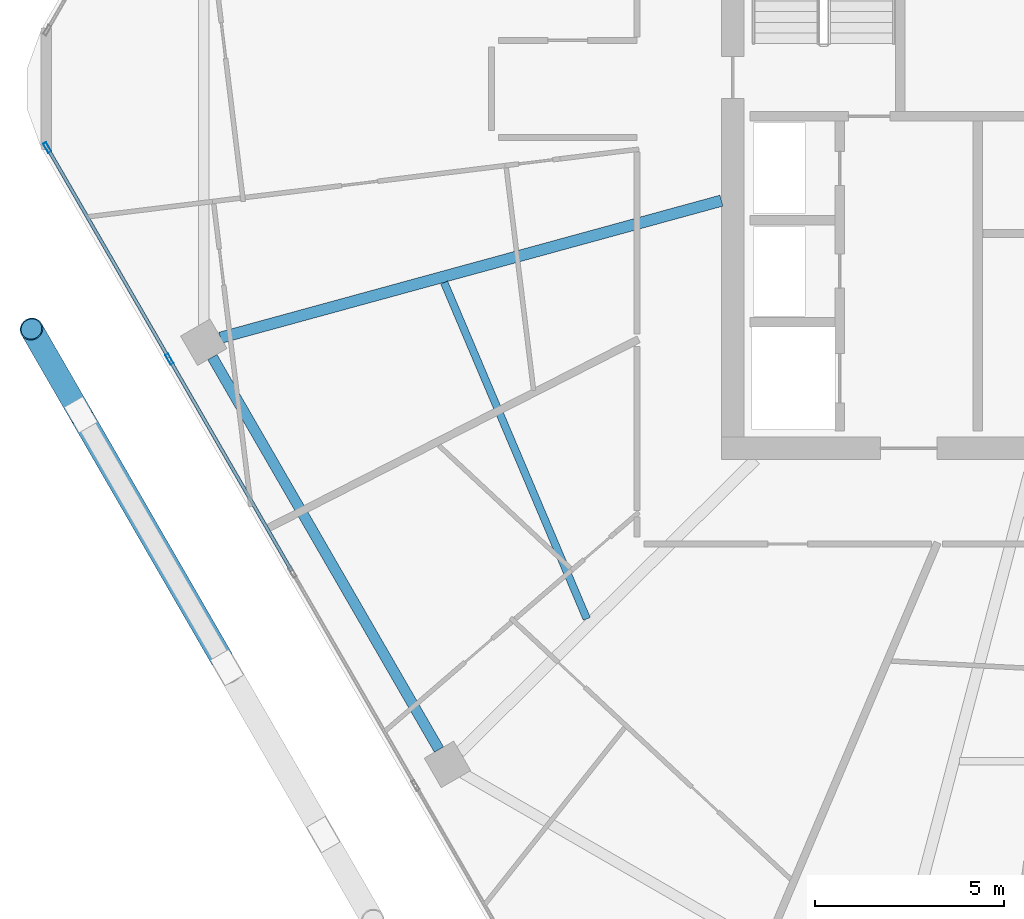
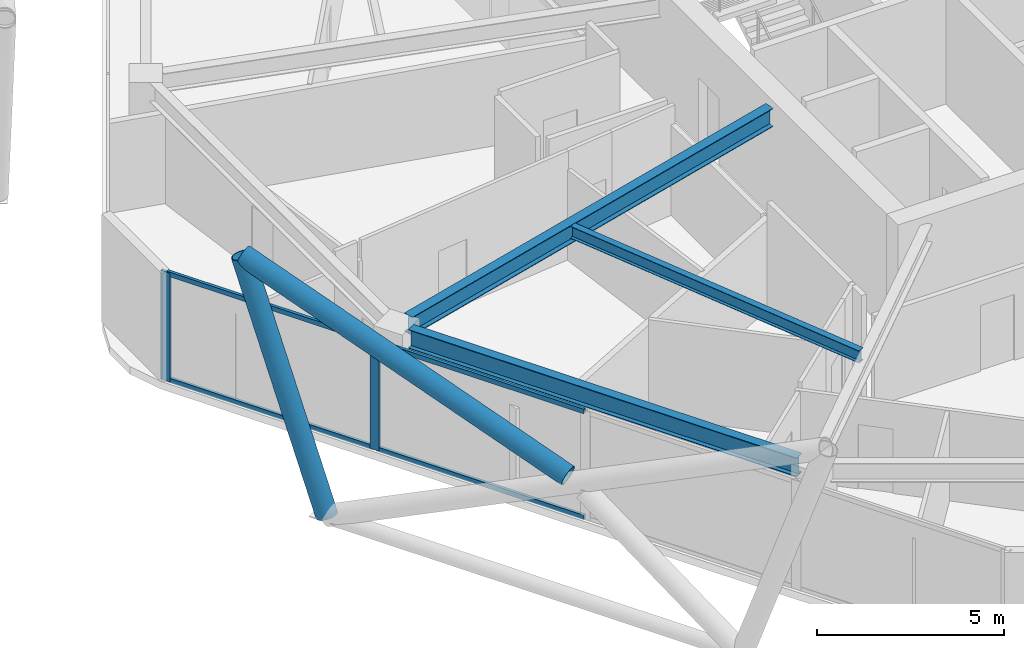
# One storey, part 5 of 28: 8 members, 3 beams, 1 element without a shape of its own.
"""IFC4 building model written with IfcOpenShell, lengths in metres."""

import ifcopenshell
import ifcopenshell.guid

model = None  # the IFC model being written
_history = None  # IfcOwnerHistory: only IFC2X3 demands one
_inside = {}  # id of a spatial element -> (the spatial element, [elements in it])
_under = {}  # id of a project, library or spatial element -> (it, [spatial elements below it])
_declared = {}  # id of a project -> (the project, [libraries it declares])
_typed = {}  # id of a type object -> (the type object, [elements of that type])
_made_of = {}  # id of a material, layer set ... -> (it, [elements and type objects made of it])


def new_model(schema):
    """Start an empty IFC model of exactly this schema.

    Asked for "IFC4X3", IfcOpenShell would pick the latest addendum, in which some entities
    have other attributes; the version numbers below select the first issue.
    IFC2X3 requires an IfcOwnerHistory on every rooted entity: one is made here for all.
    """
    global model, _history
    if schema == "IFC4X3":
        model = ifcopenshell.file(schema_version=(4, 3, 0, 0))
    else:
        model = ifcopenshell.file(schema=schema)
    _inside.clear()
    _under.clear()
    _declared.clear()
    _typed.clear()
    _made_of.clear()
    _history = None
    if model.schema == "IFC2X3":
        org = make("IfcOrganization", Name="unknown")
        user = make(
            "IfcPersonAndOrganization",
            ThePerson=make("IfcPerson", FamilyName="unknown"),
            TheOrganization=org,
        )
        app = make(
            "IfcApplication",
            ApplicationDeveloper=org,
            Version="unknown",
            ApplicationFullName="unknown",
            ApplicationIdentifier="unknown",
        )
        _history = make(
            "IfcOwnerHistory",
            OwningUser=user,
            OwningApplication=app,
            ChangeAction="ADDED",
            CreationDate=0,
        )
    return model


def make(cls, **values):
    """One entity of the class cls with the attributes given. An attribute that is None is left unset."""
    return model.create_entity(
        cls, **{name: value for name, value in values.items() if value is not None}
    )


def rooted(cls, **values):
    """An entity with a GlobalId (a new one), such as an element, a storey or a relation."""
    return make(cls, GlobalId=ifcopenshell.guid.new(), OwnerHistory=_history, **values)


def si_unit(unit_type, name, prefix=None):
    """IfcSIUnit, for example si_unit("LENGTHUNIT", "METRE", prefix="MILLI")."""
    return make("IfcSIUnit", UnitType=unit_type, Prefix=prefix, Name=name)


def assignment(units):
    """IfcUnitAssignment: the units of a project."""
    return None if units is None else make("IfcUnitAssignment", Units=units)


def point(xyz):
    """IfcCartesianPoint."""
    return None if xyz is None else make("IfcCartesianPoint", Coordinates=xyz)


def direction(xyz):
    """IfcDirection."""
    return None if xyz is None else make("IfcDirection", DirectionRatios=xyz)


def frame(location, z_axis=None, x_axis=None):
    """IfcAxis2Placement3D, a coordinate frame: its origin and axes. An axis left out is left unset."""
    return make(
        "IfcAxis2Placement3D",
        Location=point(location),
        Axis=direction(z_axis),
        RefDirection=direction(x_axis),
    )


def frame_2d(location, x_axis=None):
    """IfcAxis2Placement2D, a coordinate frame in the plane: its origin and x axis."""
    return make(
        "IfcAxis2Placement2D", Location=point(location), RefDirection=direction(x_axis)
    )


def origin():
    """The frame at (0, 0, 0) with its axes left unset."""
    return frame((0.0, 0.0, 0.0))


def origin_2d():
    """The frame at (0, 0) in the plane with its x axis left unset."""
    return frame_2d((0.0, 0.0))


def place(relative_to, where):
    """IfcLocalPlacement: puts the frame where relative to a parent placement (None: the world)."""
    return make(
        "IfcLocalPlacement", PlacementRelTo=relative_to, RelativePlacement=where
    )


def context(
    kind, dimensions, precision=None, world=None, true_north=None, identifier=None
):
    """IfcGeometricRepresentationContext, for example the 3D "Model" context."""
    return make(
        "IfcGeometricRepresentationContext",
        ContextIdentifier=identifier,
        ContextType=kind,
        CoordinateSpaceDimension=dimensions,
        Precision=precision,
        WorldCoordinateSystem=world,
        TrueNorth=true_north,
    )


def subcontext(parent, identifier, kind, view, scale=None):
    """IfcGeometricRepresentationSubContext, for example "Body" below "Model"."""
    return make(
        "IfcGeometricRepresentationSubContext",
        ContextIdentifier=identifier,
        ContextType=kind,
        ParentContext=parent,
        TargetScale=scale,
        TargetView=view,
    )


def project(units=None, contexts=None):
    """IfcProject with its units and contexts."""
    return rooted(
        "IfcProject",
        Name="project",
        RepresentationContexts=contexts,
        UnitsInContext=assignment(units),
    )


def spatial(cls, under=None, at=None, **own):
    """A site, building, storey or space (cls), placed at a placement, below another one or the project."""
    s = rooted(cls, ObjectPlacement=at, **own)
    if under is not None:
        _under.setdefault(under.id(), (under, []))[1].append(s)
    return s


def profile(cls, at=None, kind="AREA", **sizes):
    """A parametric profile (cls). Its sizes go by their IFC names, for example OverallWidth=200.0."""
    return make(cls, ProfileType=kind, Position=at, **sizes)


def hollow_rectangle(**sizes):
    """IfcRectangleHollowProfileDef."""
    return profile("IfcRectangleHollowProfileDef", **sizes)


def hollow_circle(**sizes):
    """IfcCircleHollowProfileDef."""
    return profile("IfcCircleHollowProfileDef", **sizes)


def i_section(**sizes):
    """IfcIShapeProfileDef."""
    return profile("IfcIShapeProfileDef", **sizes)


def extrude(swept, where, along, depth):
    """IfcExtrudedAreaSolid: the profile swept, set in the frame where, extruded along a direction by depth."""
    return make(
        "IfcExtrudedAreaSolid",
        SweptArea=swept,
        Position=where,
        ExtrudedDirection=direction(along),
        Depth=depth,
    )


def shape(context_of_items, identifier, shape_type, items):
    """IfcShapeRepresentation: the items that make up one representation, for example the "Body"."""
    return make(
        "IfcShapeRepresentation",
        ContextOfItems=context_of_items,
        RepresentationIdentifier=identifier,
        RepresentationType=shape_type,
        Items=items,
    )


def material(Name=None, Category=None):
    """IfcMaterial."""
    return make("IfcMaterial", Name=Name, Category=Category)


def material_profile(
    of_material, cross_section, Name=None, Category=None, Priority=None
):
    """IfcMaterialProfile: a cross section and its material."""
    return make(
        "IfcMaterialProfile",
        Name=Name,
        Material=of_material,
        Profile=cross_section,
        Priority=Priority,
        Category=Category,
    )


def profile_set(profiles, Name=None, composite=None):
    """IfcMaterialProfileSet."""
    return make(
        "IfcMaterialProfileSet",
        Name=Name,
        MaterialProfiles=profiles,
        CompositeProfile=composite,
    )


def made_of(thing, what):
    """Note that an element or type object is made of a material, layer set ...; save() writes the relation."""
    if what is not None:
        _made_of.setdefault(what.id(), (what, []))[1].append(thing)
    return thing


def type_object(cls, material=None, **own):
    """A type object (cls), such as IfcWallType, which elements share."""
    return made_of(rooted(cls, **own), material)


def element(
    cls,
    number,
    at=None,
    inside=None,
    cuts=None,
    type_object=None,
    material=None,
    context=None,
    identifier="Body",
    shape_type=None,
    held_by="IfcProductDefinitionShape",
    body=None,
    shapes=None,
    **own,
):
    """One element of the class cls, such as IfcWall. Its Tag is "e" and its number.

    at: its placement. inside: the storey or other place that contains it. cuts: it is an
    opening in that element (IfcRelVoidsElement). A single representation is given by context,
    identifier, shape_type and body (its items); several are given by shapes. held_by: the class
    of the entity that holds the representations. save() writes the other relations.
    """
    e = rooted(cls, Tag="e%d" % number, ObjectPlacement=at, **own)
    if body is not None:
        shapes = [shape(context, identifier, shape_type, body)]
    if shapes is not None:
        e.Representation = make(held_by, Representations=shapes)
    if inside is not None:
        _inside.setdefault(inside.id(), (inside, []))[1].append(e)
    if cuts is not None:
        rooted(
            "IfcRelVoidsElement", RelatingBuildingElement=cuts, RelatedOpeningElement=e
        )
    if type_object is not None:
        _typed.setdefault(type_object.id(), (type_object, []))[1].append(e)
    return made_of(e, material)


def aggregate(whole, parts):
    """IfcRelAggregates: a whole, such as a stair, and the parts it consists of."""
    return rooted("IfcRelAggregates", RelatingObject=whole, RelatedObjects=parts)


def save(model, path):
    """Write the relations noted so far, then the file.

    IfcRelAggregates (storeys below a building ...), IfcRelContainedInSpatialStructure (elements
    in a storey), IfcRelDefinesByType, IfcRelAssociatesMaterial and IfcRelDeclares: one each for
    every whole, place, type object, material and project.
    """
    for whole, parts in _under.values():
        aggregate(whole, parts)
    for where, things in _inside.values():
        rooted(
            "IfcRelContainedInSpatialStructure",
            RelatedElements=things,
            RelatingStructure=where,
        )
    for kind, things in _typed.values():
        rooted("IfcRelDefinesByType", RelatedObjects=things, RelatingType=kind)
    for what, things in _made_of.values():
        rooted("IfcRelAssociatesMaterial", RelatedObjects=things, RelatingMaterial=what)
    for by, libraries in _declared.values():
        rooted("IfcRelDeclares", RelatingContext=by, RelatedDefinitions=libraries)
    model.write(path)


model = new_model("IFC4")

# Units and contexts
model_context = context("Model", 3, precision=1e-05, world=origin(), true_north=direction((0.0, 1.0)))
body_context = subcontext(model_context, "Body", "Model", "MODEL_VIEW")
ifc_project = project(units=[si_unit("LENGTHUNIT", "METRE"), si_unit("AREAUNIT", "SQUARE_METRE"), si_unit("VOLUMEUNIT", "CUBIC_METRE"), si_unit("PLANEANGLEUNIT", "RADIAN"), si_unit("MASSUNIT", "GRAM", prefix="KILO")], contexts=[model_context])

# Site, building, storey
site_placement = place(None, origin())
site = spatial("IfcSite", under=ifc_project, at=site_placement, CompositionType="ELEMENT")
building_placement = place(site_placement, origin())
building = spatial("IfcBuilding", under=site, at=building_placement, Name="Zuhravey Tower", CompositionType="ELEMENT")
storey_placement = place(building_placement, frame((0.0, 0.0, 254.0)))
storey = spatial("IfcBuildingStorey", under=building, at=storey_placement, Name="L64", CompositionType="ELEMENT", Elevation=254.0)

# Curtain wall, members
ifc_material_1 = material(Name="Thermally broken anodised aluminium", Category="aluminium")
curtain_wall_type = type_object("IfcCurtainWallType", Name="Zone 3-4 High-Rise Curtain Wall CW4", PredefinedType="NOTDEFINED", material=ifc_material_1)
curtain_wall_placement = place(storey_placement, origin())
curtain_wall = element("IfcCurtainWall", 1, at=curtain_wall_placement, inside=storey, type_object=curtain_wall_type, Name="L64 CW4 CW-L64-F4-1", PredefinedType="NOTDEFINED")
ifc_material_2 = material(Name="Anodised aluminium", Category="aluminium")
ifc_material_profile_1 = material_profile(ifc_material_2, hollow_rectangle(XDim=0.090087890625, YDim=0.284912109375, WallThickness=0.0048828125, at=origin_2d()), Name="ALU-RHS-90x285x5")
ifc_profile_set_1 = profile_set([ifc_material_profile_1], Name="Anodised aluminium")
member_type_1 = type_object("IfcMemberType", Name="Curtain-Wall Mullion 90x180", PredefinedType="MULLION", material=ifc_profile_set_1)
member_1_placement = place(storey_placement, frame((10.608154296875, 24.852783203125, 0.0), z_axis=(0.0, 0.0, 1.0), x_axis=(-0.866024851021, -0.500000957414, 0.0)))
member_1 = element("IfcMember", 2, at=member_1_placement, type_object=member_type_1, Name="CW4 mullion 4", PredefinedType="MULLION", context=body_context, shape_type="SweptSolid", body=[
    extrude(hollow_rectangle(XDim=0.090087890625, YDim=0.284912109375, WallThickness=0.0048828125, at=origin_2d()), origin(), (0.0, 0.0, 1.0), 3.550048828125),
])
member_2_placement = place(storey_placement, frame((7.37744140625, 30.448486328125, 0.0), z_axis=(0.0, 0.0, 1.0), x_axis=(-0.866024851021, -0.500000957414, 0.0)))
member_2 = element("IfcMember", 3, at=member_2_placement, type_object=member_type_1, Name="CW4 mullion 5", PredefinedType="MULLION", context=body_context, shape_type="SweptSolid", body=[
    extrude(hollow_rectangle(XDim=0.090087890625, YDim=0.284912109375, WallThickness=0.0048828125, at=origin_2d()), origin(), (0.0, 0.0, 1.0), 3.550048828125),
])
ifc_material_profile_2 = material_profile(ifc_material_2, hollow_rectangle(XDim=0.090087890625, YDim=0.14990234375, WallThickness=0.0048828125, at=origin_2d()), Name="ALU-RHS-90x150x5")
ifc_profile_set_2 = profile_set([ifc_material_profile_2], Name="Anodised aluminium")
member_type_2 = type_object("IfcMemberType", Name="Curtain-Wall Transom 90x150", PredefinedType="USERDEFINED", material=ifc_profile_set_2)
member_3_placement = place(storey_placement, frame((13.8388671875, 19.257080078125, 0.044921875), z_axis=(-0.499998017366, 0.866026548456, 0.0), x_axis=(-0.866026548456, -0.499998017366, 0.0)))
member_3 = element("IfcMember", 4, at=member_3_placement, type_object=member_type_2, Name="CW4 transom 3.1", ObjectType="TRANSOM", PredefinedType="USERDEFINED", context=body_context, shape_type="SweptSolid", body=[
    extrude(hollow_rectangle(XDim=0.090087890625, YDim=0.14990234375, WallThickness=0.0048828125, at=origin_2d()), origin(), (0.0, 0.0, 1.0), 6.41650390625),
])
member_4_placement = place(storey_placement, frame((13.8388671875, 19.257080078125, 3.5048828125), z_axis=(-0.499998017366, 0.866026548456, 0.0), x_axis=(-0.866026548456, -0.499998017366, 0.0)))
member_4 = element("IfcMember", 5, at=member_4_placement, type_object=member_type_2, Name="CW4 transom 3.2", ObjectType="TRANSOM", PredefinedType="USERDEFINED", context=body_context, shape_type="SweptSolid", body=[
    extrude(hollow_rectangle(XDim=0.090087890625, YDim=0.14990234375, WallThickness=0.0048828125, at=origin_2d()), origin(), (0.0, 0.0, 1.0), 6.41650390625),
])
member_5_placement = place(storey_placement, frame((10.585693359375, 24.891845703125, 0.044921875), z_axis=(-0.500008810174, 0.866020317169, 0.0), x_axis=(-0.866020317169, -0.500008810174, 0.0)))
member_5 = element("IfcMember", 6, at=member_5_placement, type_object=member_type_2, Name="CW4 transom 4.1", ObjectType="TRANSOM", PredefinedType="USERDEFINED", context=body_context, shape_type="SweptSolid", body=[
    extrude(hollow_rectangle(XDim=0.090087890625, YDim=0.14990234375, WallThickness=0.0048828125, at=origin_2d()), origin(), (0.0, 0.0, 1.0), 6.37158203125),
])
member_6_placement = place(storey_placement, frame((10.585693359375, 24.891845703125, 3.5048828125), z_axis=(-0.500008810174, 0.866020317169, 0.0), x_axis=(-0.866020317169, -0.500008810174, 0.0)))
member_6 = element("IfcMember", 7, at=member_6_placement, type_object=member_type_2, Name="CW4 transom 4.2", ObjectType="TRANSOM", PredefinedType="USERDEFINED", context=body_context, shape_type="SweptSolid", body=[
    extrude(hollow_rectangle(XDim=0.090087890625, YDim=0.14990234375, WallThickness=0.0048828125, at=origin_2d()), origin(), (0.0, 0.0, 1.0), 6.37158203125),
])
aggregate(curtain_wall, [member_1, member_2, member_3, member_4, member_5, member_6])

# Members
ifc_material_3 = material(Name="Steel SM355", Category="steel")
ifc_material_profile_3 = material_profile(ifc_material_3, hollow_circle(Radius=0.3046875, WallThickness=0.028076171875, at=origin_2d()), Name="CHS-609.6x28")
ifc_profile_set_3 = profile_set([ifc_material_profile_3], Name="Steel SM355")
member_type_3 = type_object("IfcMemberType", Name="Exoskeleton Zone 3 Diagrid CHS610x28", PredefinedType="BRACE", material=ifc_profile_set_3)
member_7_placement = place(storey_placement, frame((8.26416015625, 23.392822265625, -0.446044921875), z_axis=(-0.163030622365, 0.282366718953, 0.945351813982), x_axis=(-0.866017274468, -0.500014080125, 0.0)))
element("IfcMember", 8, at=member_7_placement, inside=storey, type_object=member_type_3, Name="L64 Face 4 Diagrid Brace 1", PredefinedType="BRACE", context=body_context, shape_type="SweptSolid", body=[
    extrude(hollow_circle(Radius=0.3046875, WallThickness=0.028076171875, at=origin_2d()), origin(), (0.0, 0.0, 1.0), 8.001220703125),
])
member_8_placement = place(storey_placement, frame((11.988037109375, 16.943115234375, 3.437744140625), z_axis=(-0.469318707533, 0.812860915854, 0.344959537101), x_axis=(-0.866019296191, -0.500010578514, 0.0)))
element("IfcMember", 9, at=member_8_placement, inside=storey, type_object=member_type_3, Name="L64 Face 4 Split Diagrid Brace 3B", PredefinedType="BRACE", context=body_context, shape_type="SweptSolid", body=[
    extrude(hollow_circle(Radius=0.3046875, WallThickness=0.028076171875, at=origin_2d()), origin(), (0.0, 0.0, 1.0), 10.6796875),
])

# Beams
ifc_material_profile_4 = material_profile(ifc_material_3, i_section(OverallWidth=0.280029296875, OverallDepth=0.6201171875, WebThickness=0.011962890625, FlangeThickness=0.02001953125, at=origin_2d()), Name="H-620x280x12x20")
ifc_profile_set_4 = profile_set([ifc_material_profile_4], Name="Steel SM355")
beam_type_1 = type_object("IfcBeamType", Name="Perimeter Ring Beam H620x280", PredefinedType="BEAM", material=ifc_profile_set_4)
beam_1_placement = place(storey_placement, frame((11.741943359375, 24.90869140625, 3.239990234375), z_axis=(0.500017744717, -0.866015158625, 0.0), x_axis=(0.866015158625, 0.500017744717, 0.0)))
element("IfcBeam", 10, at=beam_1_placement, inside=storey, type_object=beam_type_1, Name="L64 PB3 BM-L64-PB-07", PredefinedType="BEAM", context=body_context, shape_type="SweptSolid", body=[
    extrude(i_section(OverallWidth=0.280029296875, OverallDepth=0.6201171875, WebThickness=0.011962890625, FlangeThickness=0.02001953125, at=origin_2d()), origin(), (0.0, 0.0, 1.0), 11.9755859375),
])
ifc_material_profile_5 = material_profile(ifc_material_3, i_section(OverallWidth=0.300048828125, OverallDepth=0.60009765625, WebThickness=0.011962890625, FlangeThickness=0.02001953125, at=origin_2d()), Name="H-600x300x12x20")
ifc_profile_set_5 = profile_set([ifc_material_profile_5], Name="Steel SM355")
beam_type_2 = type_object("IfcBeamType", Name="Radial Primary Girder H600x300", PredefinedType="BEAM", material=ifc_profile_set_5)
beam_2_placement = place(storey_placement, frame((25.197021484375, 29.04443359375, 3.25), z_axis=(-0.964548913045, -0.26390413855, 0.0), x_axis=(0.26390413855, -0.964548913045, 0.0)))
element("IfcBeam", 11, at=beam_2_placement, inside=storey, type_object=beam_type_2, Name="L64 RG3 BM-L64-RAD-07", PredefinedType="BEAM", context=body_context, shape_type="SweptSolid", body=[
    extrude(i_section(OverallWidth=0.300048828125, OverallDepth=0.60009765625, WebThickness=0.011962890625, FlangeThickness=0.02001953125, at=origin_2d()), origin(), (0.0, 0.0, 1.0), 13.7314453125),
])
ifc_material_profile_6 = material_profile(ifc_material_3, i_section(OverallWidth=0.199951171875, OverallDepth=0.39990234375, WebThickness=0.008056640625, FlangeThickness=0.012939453125, at=origin_2d()), Name="H-400x200x8x13")
ifc_profile_set_6 = profile_set([ifc_material_profile_6], Name="Steel SM355")
beam_type_3 = type_object("IfcBeamType", Name="Secondary Floor Joist H400x200", PredefinedType="JOIST", material=ifc_profile_set_6)
beam_3_placement = place(storey_placement, frame((17.869140625, 26.881103515625, 3.35009765625), z_axis=(0.390413493754, -0.920639616731, 0.0), x_axis=(0.920639616731, 0.390413493754, 0.0)))
element("IfcBeam", 12, at=beam_3_placement, inside=storey, type_object=beam_type_3, Name="L64 SJ2 BM-L64-SJ-07-1", PredefinedType="JOIST", context=body_context, shape_type="SweptSolid", body=[
    extrude(i_section(OverallWidth=0.199951171875, OverallDepth=0.39990234375, WebThickness=0.008056640625, FlangeThickness=0.012939453125, at=origin_2d()), origin(), (0.0, 0.0, 1.0), 9.656494140625),
])

save(model, "model.ifc")
